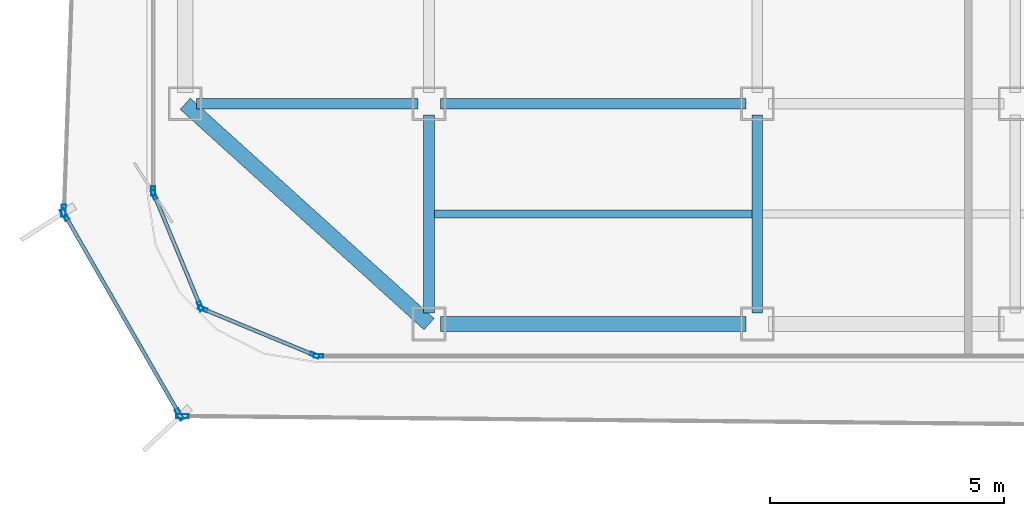
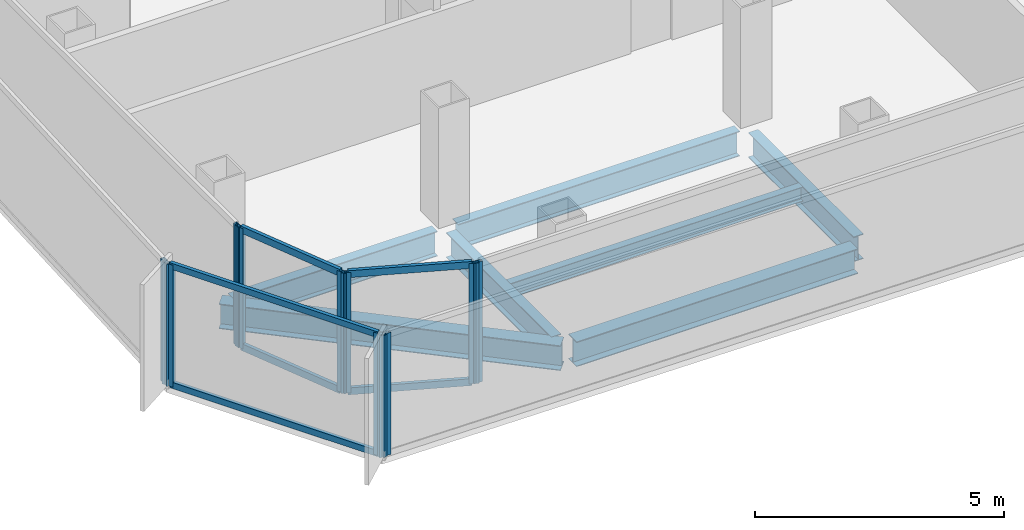
# One storey, part 2 of 15: 16 members, 7 beams, 7 elements without a shape of their own.
"""IFC4 building model written with IfcOpenShell, lengths in metres."""

from ifc_helpers import new_model, si_unit, direction, frame, origin, origin_2d, place, context, subcontext, project, spatial, hollow_rectangle, i_section, extrude, source, transform, mapped, material, layer, layer_set, material_profile, profile_set, type_object, element, aggregate, save


model = new_model("IFC4")

# Units and contexts
model_context = context("Model", 3, precision=1e-05, world=origin(), true_north=direction((0.0, 1.0)))
body_context = subcontext(model_context, "Body", "Model", "MODEL_VIEW")
ifc_project = project(units=[si_unit("LENGTHUNIT", "METRE"), si_unit("AREAUNIT", "SQUARE_METRE"), si_unit("VOLUMEUNIT", "CUBIC_METRE"), si_unit("PLANEANGLEUNIT", "RADIAN"), si_unit("MASSUNIT", "GRAM", prefix="KILO")], contexts=[model_context])

# Site, building, storey
site_placement = place(None, origin())
site = spatial("IfcSite", under=ifc_project, at=site_placement, CompositionType="ELEMENT")
building_placement = place(site_placement, origin())
building = spatial("IfcBuilding", under=site, at=building_placement, Name="Kolveth Station Tower", CompositionType="ELEMENT")
storey_placement = place(building_placement, frame((0.0, 0.0, 196.39990234375)))
storey = spatial("IfcBuildingStorey", under=building, at=storey_placement, Name="L55", CompositionType="ELEMENT", Elevation=196.39990234375)

# Beams
ifc_material_1 = material(Name="Steel S355", Category="steel")
ifc_material_profile_1 = material_profile(ifc_material_1, i_section(OverallWidth=0.323974609375, OverallDepth=0.611083984375, WebThickness=0.0126953125, FlangeThickness=0.01904296875, at=origin_2d()), Name="W610x155")
ifc_profile_set_1 = profile_set([ifc_material_profile_1], Name="Steel S355")
beam_type_1 = type_object("IfcBeamType", Name="Beam_SP2", PredefinedType="SPANDREL", material=ifc_profile_set_1)
shared_shape_1 = source(origin(), body_context, "Body", "SweptSolid", [
    extrude(i_section(OverallWidth=0.323974609375, OverallDepth=0.611083984375, WebThickness=0.0126953125, FlangeThickness=0.01904296875, at=origin_2d()), origin(), (0.0, 0.0, 1.0), 7.00927734375),
])
beam_1_placement = place(storey_placement, frame((0.800048828125, 5.5, -0.555419921875), z_axis=(0.741874009795, -0.670539300557, 0.0), x_axis=(0.670539300557, 0.741874009795, 0.0)))
element("IfcBeam", 1, at=beam_1_placement, inside=storey, type_object=beam_type_1, Name="L55 Corner Edge Girder BM-L55-CNR-SW", PredefinedType="SPANDREL", context=body_context, shape_type="MappedRepresentation", body=[
    mapped(shared_shape_1, transform((0.0, 0.0, 0.0), x_axis=(1.0, 0.0, 0.0), y_axis=(0.0, 1.0, 0.0), z_axis=(0.0, 0.0, 1.0), scale=1.0)),
])
shared_shape_2 = source(origin(), body_context, "Body", "SweptSolid", [
    extrude(i_section(OverallWidth=0.323974609375, OverallDepth=0.611083984375, WebThickness=0.0126953125, FlangeThickness=0.01904296875, at=origin_2d()), origin(), (0.0, 0.0, 1.0), 6.52001953125),
])
beam_2_placement = place(storey_placement, frame((6.239990234375, 0.800048828125, -0.555419921875), z_axis=(1.0, 0.0, 0.0), x_axis=(0.0, 1.0, 0.0)))
element("IfcBeam", 2, at=beam_2_placement, inside=storey, type_object=beam_type_1, Name="L55 Perimeter Spandrel BM-L55-PS-1", PredefinedType="SPANDREL", context=body_context, shape_type="MappedRepresentation", body=[
    mapped(shared_shape_2, transform((0.0, 0.0, 0.0), x_axis=(1.0, 0.0, 0.0), y_axis=(0.0, 1.0, 0.0), z_axis=(0.0, 0.0, 1.0), scale=1.0)),
])
ifc_material_profile_2 = material_profile(ifc_material_1, i_section(OverallWidth=0.22900390625, OverallDepth=0.612060546875, WebThickness=0.011962890625, FlangeThickness=0.01953125, at=origin_2d()), Name="W610x125")
ifc_profile_set_2 = profile_set([ifc_material_profile_2], Name="Steel S355")
beam_type_2 = type_object("IfcBeamType", Name="Beam_B5", PredefinedType="BEAM", material=ifc_profile_set_2)
shared_shape_3 = source(origin(), body_context, "Body", "SweptSolid", [
    extrude(i_section(OverallWidth=0.22900390625, OverallDepth=0.612060546875, WebThickness=0.011962890625, FlangeThickness=0.01953125, at=origin_2d()), origin(), (0.0, 0.0, 1.0), 4.719970703125),
])
beam_3_placement = place(storey_placement, frame((1.0400390625, 5.5, -0.555908203125), z_axis=(1.0, 0.0, 0.0), x_axis=(0.0, 1.0, 0.0)))
element("IfcBeam", 3, at=beam_3_placement, inside=storey, type_object=beam_type_2, Name="L55 Primary Girder BM-L55-GY55-1", PredefinedType="BEAM", context=body_context, shape_type="MappedRepresentation", body=[
    mapped(shared_shape_3, transform((0.0, 0.0, 0.0), x_axis=(1.0, 0.0, 0.0), y_axis=(0.0, 1.0, 0.0), z_axis=(0.0, 0.0, 1.0), scale=1.0)),
])
shared_shape_4 = source(origin(), body_context, "Body", "SweptSolid", [
    extrude(i_section(OverallWidth=0.22900390625, OverallDepth=0.612060546875, WebThickness=0.011962890625, FlangeThickness=0.01953125, at=origin_2d()), origin(), (0.0, 0.0, 1.0), 6.52001953125),
])
beam_4_placement = place(storey_placement, frame((6.239990234375, 5.5, -0.555908203125), z_axis=(1.0, 0.0, 0.0), x_axis=(0.0, 1.0, 0.0)))
element("IfcBeam", 4, at=beam_4_placement, inside=storey, type_object=beam_type_2, Name="L55 Primary Girder BM-L55-GY55-2", PredefinedType="BEAM", context=body_context, shape_type="MappedRepresentation", body=[
    mapped(shared_shape_4, transform((0.0, 0.0, 0.0), x_axis=(1.0, 0.0, 0.0), y_axis=(0.0, 1.0, 0.0), z_axis=(0.0, 0.0, 1.0), scale=1.0)),
])
shared_shape_5 = source(origin(), body_context, "Body", "SweptSolid", [
    extrude(i_section(OverallWidth=0.22900390625, OverallDepth=0.612060546875, WebThickness=0.011962890625, FlangeThickness=0.01953125, at=origin_2d()), origin(), (0.0, 0.0, 1.0), 4.219970703125),
])
for number, where, z_axis, x_axis, name in (
    (5, (6.0, 1.0400390625, -0.555908203125), (0.0, 1.0, 0.0), (-1.0, 0.0, 0.0), "L55 Primary Girder BM-L55-GX60-1"),
    (6, (13.0, 1.0400390625, -0.555908203125), (0.0, 1.0, 0.0), (-1.0, 0.0, 0.0), "L55 Primary Girder BM-L55-GX130-1"),
):
    element("IfcBeam", number, at=place(storey_placement, frame(where, z_axis=z_axis, x_axis=x_axis)), inside=storey, type_object=beam_type_2, Name=name, PredefinedType="BEAM", context=body_context, shape_type="MappedRepresentation", body=[
        mapped(shared_shape_5, transform((0.0, 0.0, 0.0), x_axis=(1.0, 0.0, 0.0), y_axis=(0.0, 1.0, 0.0), z_axis=(0.0, 0.0, 1.0), scale=1.0)),
    ])
ifc_material_profile_3 = material_profile(ifc_material_1, i_section(OverallWidth=0.1708984375, OverallDepth=0.35205078125, WebThickness=0.0068359375, FlangeThickness=0.009765625, at=origin_2d()), Name="W360x44")
ifc_profile_set_3 = profile_set([ifc_material_profile_3], Name="Steel S355")
beam_type_3 = type_object("IfcBeamType", Name="Beam_J2", PredefinedType="JOIST", material=ifc_profile_set_3)
shared_shape_6 = source(origin(), body_context, "Body", "SweptSolid", [
    extrude(i_section(OverallWidth=0.1708984375, OverallDepth=0.35205078125, WebThickness=0.0068359375, FlangeThickness=0.009765625, at=origin_2d()), origin(), (0.0, 0.0, 1.0), 6.77490234375),
])
beam_5_placement = place(storey_placement, frame((6.112548828125, 3.14990234375, -0.42578125), z_axis=(1.0, 0.0, 0.0), x_axis=(0.0, 1.0, 0.0)))
element("IfcBeam", 7, at=beam_5_placement, inside=storey, type_object=beam_type_3, Name="L55 Secondary Joist JST-L55-2-1", PredefinedType="JOIST", context=body_context, shape_type="MappedRepresentation", body=[
    mapped(shared_shape_6, transform((0.0, 0.0, 0.0), x_axis=(1.0, 0.0, 0.0), y_axis=(0.0, 1.0, 0.0), z_axis=(0.0, 0.0, 1.0), scale=1.0)),
])

# Curtain wall, member
ifc_material_2 = material(Name="Black anodized aluminium 6063-T6 and dark solar glass", Category="aluminium")
ifc_layer_1 = layer(ifc_material_2, 0.159912109375)
ifc_layer_set_1 = layer_set([ifc_layer_1], Name="Black anodized aluminium 6063-T6 and dark solar glass")
curtain_wall_type_1 = type_object("IfcCurtainWallType", Name="OUTER SKIN CW-OS", PredefinedType="NOTDEFINED", material=ifc_layer_set_1)
curtain_wall_1_placement = place(storey_placement, origin())
curtain_wall_1 = element("IfcCurtainWall", 8, at=curtain_wall_1_placement, inside=storey, type_object=curtain_wall_type_1, Name="L55 Outer Ventilated Skin Curtain Wall 6", PredefinedType="NOTDEFINED")
ifc_material_3 = material(Name="Black anodized aluminium 6063-T6", Category="aluminium")
ifc_material_profile_4 = material_profile(ifc_material_3, hollow_rectangle(XDim=0.090087890625, YDim=0.260009765625, WallThickness=0.0048828125, at=origin_2d()), Name="ALU-90x260x5")
ifc_profile_set_4 = profile_set([ifc_material_profile_4], Name="Black anodized aluminium 6063-T6")
member_type_1 = type_object("IfcMemberType", Name="FIN MULLION ML-OS", PredefinedType="MULLION", material=ifc_profile_set_4)
shared_shape_7 = source(origin(), body_context, "Body", "SweptSolid", [
    extrude(hollow_rectangle(XDim=0.090087890625, YDim=0.260009765625, WallThickness=0.0048828125, at=origin_2d()), origin(), (0.0, 0.0, 1.0), 2.989990234375),
])
member_1_placement = place(storey_placement, frame((-1.791015625, 3.217041015625, 0.0), z_axis=(0.0, 0.0, 1.0), x_axis=(0.999363333669, -0.035678106998, 0.0)))
member_1 = element("IfcMember", 9, at=member_1_placement, type_object=member_type_1, Name="CW-OS mullion 2", PredefinedType="MULLION", context=body_context, shape_type="MappedRepresentation", body=[
    mapped(shared_shape_7, transform((0.0, 0.0, 0.0), x_axis=(1.0, 0.0, 0.0), y_axis=(0.0, 1.0, 0.0), z_axis=(0.0, 0.0, 1.0), scale=1.0)),
])
aggregate(curtain_wall_1, [member_1])

# Curtain wall, members
curtain_wall_2_placement = place(storey_placement, origin())
curtain_wall_2 = element("IfcCurtainWall", 10, at=curtain_wall_2_placement, inside=storey, type_object=curtain_wall_type_1, Name="L55 Outer Ventilated Skin Curtain Wall 7", PredefinedType="NOTDEFINED")
member_2_placement = place(storey_placement, frame((-1.770263671875, 3.133056640625, 0.0), z_axis=(0.0, 0.0, 1.0), x_axis=(0.867084953805, 0.498160298383, 0.0)))
member_2 = element("IfcMember", 11, at=member_2_placement, type_object=member_type_1, Name="CW-OS mullion 1", PredefinedType="MULLION", context=body_context, shape_type="MappedRepresentation", body=[
    mapped(shared_shape_7, transform((0.0, 0.0, 0.0), x_axis=(1.0, 0.0, 0.0), y_axis=(0.0, 1.0, 0.0), z_axis=(0.0, 0.0, 1.0), scale=1.0)),
])
member_3_placement = place(storey_placement, frame((0.675537109375, -1.123779296875, 0.0), z_axis=(0.0, 0.0, 1.0), x_axis=(0.867084953805, 0.498160298383, 0.0)))
member_3 = element("IfcMember", 12, at=member_3_placement, type_object=member_type_1, Name="CW-OS mullion 2", PredefinedType="MULLION", context=body_context, shape_type="MappedRepresentation", body=[
    mapped(shared_shape_7, transform((0.0, 0.0, 0.0), x_axis=(1.0, 0.0, 0.0), y_axis=(0.0, 1.0, 0.0), z_axis=(0.0, 0.0, 1.0), scale=1.0)),
])

# Curtain wall, member
curtain_wall_3_placement = place(storey_placement, origin())
curtain_wall_3 = element("IfcCurtainWall", 13, at=curtain_wall_3_placement, inside=storey, type_object=curtain_wall_type_1, Name="L55 Outer Ventilated Skin Curtain Wall 8", PredefinedType="NOTDEFINED")
member_4_placement = place(storey_placement, frame((0.742919921875, -1.163330078125, 0.0), z_axis=(0.0, 0.0, 1.0), x_axis=(0.009568801259, 0.999954217973, 0.0)))
member_4 = element("IfcMember", 14, at=member_4_placement, type_object=member_type_1, Name="CW-OS mullion 1", PredefinedType="MULLION", context=body_context, shape_type="MappedRepresentation", body=[
    mapped(shared_shape_7, transform((0.0, 0.0, 0.0), x_axis=(1.0, 0.0, 0.0), y_axis=(0.0, 1.0, 0.0), z_axis=(0.0, 0.0, 1.0), scale=1.0)),
])
aggregate(curtain_wall_3, [member_4])

ifc_material_4 = material(Name="Aluminium 6063-T6 and low-E dark glass", Category="aluminium")
ifc_layer_2 = layer(ifc_material_4, 0.18994140625)
ifc_layer_set_2 = layer_set([ifc_layer_2], Name="Aluminium 6063-T6 and low-E dark glass")
curtain_wall_type_2 = type_object("IfcCurtainWallType", Name="CurtainWall_CW-Z2", PredefinedType="NOTDEFINED", material=ifc_layer_set_2)
curtain_wall_4_placement = place(storey_placement, origin())
curtain_wall_4 = element("IfcCurtainWall", 15, at=curtain_wall_4_placement, inside=storey, type_object=curtain_wall_type_2, Name="L55 Inner Thermal Curtain Wall 9", PredefinedType="NOTDEFINED")
ifc_material_profile_5 = material_profile(ifc_material_3, hollow_rectangle(XDim=0.080078125, YDim=0.199951171875, WallThickness=0.0048828125, at=origin_2d()), Name="ALU-80x200x5")
ifc_profile_set_5 = profile_set([ifc_material_profile_5], Name="Black anodized aluminium 6063-T6")
member_type_2 = type_object("IfcMemberType", Name="Mullion_ML2", PredefinedType="MULLION", material=ifc_profile_set_5)
shared_shape_8 = source(origin(), body_context, "Body", "SweptSolid", [
    extrude(hollow_rectangle(XDim=0.080078125, YDim=0.199951171875, WallThickness=0.0048828125, at=origin_2d()), origin(), (0.0, 0.0, 1.0), 2.9501953125),
])
member_5_placement = place(storey_placement, frame((0.1201171875, 3.639892578125, 0.0), z_axis=(0.0, 0.0, 1.0), x_axis=(1.0, 0.0, 0.0)))
member_5 = element("IfcMember", 16, at=member_5_placement, type_object=member_type_2, Name="CW-Z2 mullion 2", PredefinedType="MULLION", context=body_context, shape_type="MappedRepresentation", body=[
    mapped(shared_shape_8, transform((0.0, 0.0, 0.0), x_axis=(1.0, 0.0, 0.0), y_axis=(0.0, 1.0, 0.0), z_axis=(0.0, 0.0, 1.0), scale=1.0)),
])
aggregate(curtain_wall_4, [member_5])

# Curtain wall, members
curtain_wall_5_placement = place(storey_placement, origin())
curtain_wall_5 = element("IfcCurtainWall", 17, at=curtain_wall_5_placement, inside=storey, type_object=curtain_wall_type_2, Name="L55 Inner Thermal Curtain Wall 10", PredefinedType="NOTDEFINED")
member_6_placement = place(storey_placement, frame((0.13525390625, 3.56298828125, 0.0), z_axis=(0.0, 0.0, 1.0), x_axis=(0.923873600544, 0.382697753087, 0.0)))
member_6 = element("IfcMember", 18, at=member_6_placement, type_object=member_type_2, Name="CW-Z2 mullion 1", PredefinedType="MULLION", context=body_context, shape_type="MappedRepresentation", body=[
    mapped(shared_shape_8, transform((0.0, 0.0, 0.0), x_axis=(1.0, 0.0, 0.0), y_axis=(0.0, 1.0, 0.0), z_axis=(0.0, 0.0, 1.0), scale=1.0)),
])
member_7_placement = place(storey_placement, frame((1.1240234375, 1.17626953125, 0.0), z_axis=(0.0, 0.0, 1.0), x_axis=(0.923873600544, 0.382697753087, 0.0)))
member_7 = element("IfcMember", 19, at=member_7_placement, type_object=member_type_2, Name="CW-Z2 mullion 2", PredefinedType="MULLION", context=body_context, shape_type="MappedRepresentation", body=[
    mapped(shared_shape_8, transform((0.0, 0.0, 0.0), x_axis=(1.0, 0.0, 0.0), y_axis=(0.0, 1.0, 0.0), z_axis=(0.0, 0.0, 1.0), scale=1.0)),
])

curtain_wall_6_placement = place(storey_placement, origin())
curtain_wall_6 = element("IfcCurtainWall", 20, at=curtain_wall_6_placement, inside=storey, type_object=curtain_wall_type_2, Name="L55 Inner Thermal Curtain Wall 11", PredefinedType="NOTDEFINED")
member_8_placement = place(storey_placement, frame((1.17626953125, 1.1240234375, 0.0), z_axis=(0.0, 0.0, 1.0), x_axis=(0.382697753087, 0.923873600544, 0.0)))
member_8 = element("IfcMember", 21, at=member_8_placement, type_object=member_type_2, Name="CW-Z2 mullion 1", PredefinedType="MULLION", context=body_context, shape_type="MappedRepresentation", body=[
    mapped(shared_shape_8, transform((0.0, 0.0, 0.0), x_axis=(1.0, 0.0, 0.0), y_axis=(0.0, 1.0, 0.0), z_axis=(0.0, 0.0, 1.0), scale=1.0)),
])
member_9_placement = place(storey_placement, frame((3.56298828125, 0.13525390625, 0.0), z_axis=(0.0, 0.0, 1.0), x_axis=(0.382697753087, 0.923873600544, 0.0)))
member_9 = element("IfcMember", 22, at=member_9_placement, type_object=member_type_2, Name="CW-Z2 mullion 2", PredefinedType="MULLION", context=body_context, shape_type="MappedRepresentation", body=[
    mapped(shared_shape_8, transform((0.0, 0.0, 0.0), x_axis=(1.0, 0.0, 0.0), y_axis=(0.0, 1.0, 0.0), z_axis=(0.0, 0.0, 1.0), scale=1.0)),
])

# Curtain wall, member
curtain_wall_7_placement = place(storey_placement, origin())
curtain_wall_7 = element("IfcCurtainWall", 23, at=curtain_wall_7_placement, inside=storey, type_object=curtain_wall_type_2, Name="L55 Inner Thermal Curtain Wall 12", PredefinedType="NOTDEFINED")
member_10_placement = place(storey_placement, frame((3.639892578125, 0.1201171875, 0.0), z_axis=(0.0, 0.0, 1.0), x_axis=(0.0, 1.0, 0.0)))
member_10 = element("IfcMember", 24, at=member_10_placement, type_object=member_type_2, Name="CW-Z2 mullion 1", PredefinedType="MULLION", context=body_context, shape_type="MappedRepresentation", body=[
    mapped(shared_shape_8, transform((0.0, 0.0, 0.0), x_axis=(1.0, 0.0, 0.0), y_axis=(0.0, 1.0, 0.0), z_axis=(0.0, 0.0, 1.0), scale=1.0)),
])
aggregate(curtain_wall_7, [member_10])

# Member
ifc_material_profile_6 = material_profile(ifc_material_3, hollow_rectangle(XDim=0.080078125, YDim=0.169921875, WallThickness=0.0048828125, at=origin_2d()), Name="ALU-80x170x5")
ifc_profile_set_6 = profile_set([ifc_material_profile_6], Name="Black anodized aluminium 6063-T6")
member_type_3 = type_object("IfcMemberType", Name="Transom_TR2", PredefinedType="USERDEFINED", material=ifc_profile_set_6)
shared_shape_9 = source(origin(), body_context, "Body", "SweptSolid", [
    extrude(hollow_rectangle(XDim=0.080078125, YDim=0.169921875, WallThickness=0.0048828125, at=origin_2d()), origin(), (0.0, 0.0, 1.0), 2.50341796875),
])
member_11_placement = place(storey_placement, frame((0.150634765625, 3.526123046875, 0.0400390625), z_axis=(0.382661849723, -0.923888472039, 0.0), x_axis=(0.923888472039, 0.382661849723, 0.0)))
member_11 = element("IfcMember", 25, at=member_11_placement, type_object=member_type_3, Name="CW-Z2 transom 1.1", ObjectType="TRANSOM", PredefinedType="USERDEFINED", context=body_context, shape_type="MappedRepresentation", body=[
    mapped(shared_shape_9, transform((0.0, 0.0, 0.0), x_axis=(1.0, 0.0, 0.0), y_axis=(0.0, 1.0, 0.0), z_axis=(0.0, 0.0, 1.0), scale=1.0)),
])

member_12_placement = place(storey_placement, frame((0.150634765625, 3.526123046875, 2.91015625), z_axis=(0.382661849723, -0.923888472039, 0.0), x_axis=(0.923888472039, 0.382661849723, 0.0)))
member_12 = element("IfcMember", 26, at=member_12_placement, type_object=member_type_3, Name="CW-Z2 transom 1.2", ObjectType="TRANSOM", PredefinedType="USERDEFINED", context=body_context, shape_type="MappedRepresentation", body=[
    mapped(shared_shape_9, transform((0.0, 0.0, 0.0), x_axis=(1.0, 0.0, 0.0), y_axis=(0.0, 1.0, 0.0), z_axis=(0.0, 0.0, 1.0), scale=1.0)),
])

aggregate(curtain_wall_5, [member_6, member_7, member_11, member_12])

member_13_placement = place(storey_placement, frame((1.213134765625, 1.108642578125, 0.0400390625), z_axis=(0.923888472039, -0.382661849723, 0.0), x_axis=(0.382661849723, 0.923888472039, 0.0)))
member_13 = element("IfcMember", 27, at=member_13_placement, type_object=member_type_3, Name="CW-Z2 transom 1.1", ObjectType="TRANSOM", PredefinedType="USERDEFINED", context=body_context, shape_type="MappedRepresentation", body=[
    mapped(shared_shape_9, transform((0.0, 0.0, 0.0), x_axis=(1.0, 0.0, 0.0), y_axis=(0.0, 1.0, 0.0), z_axis=(0.0, 0.0, 1.0), scale=1.0)),
])

member_14_placement = place(storey_placement, frame((1.213134765625, 1.108642578125, 2.91015625), z_axis=(0.923888472039, -0.382661849723, 0.0), x_axis=(0.382661849723, 0.923888472039, 0.0)))
member_14 = element("IfcMember", 28, at=member_14_placement, type_object=member_type_3, Name="CW-Z2 transom 1.2", ObjectType="TRANSOM", PredefinedType="USERDEFINED", context=body_context, shape_type="MappedRepresentation", body=[
    mapped(shared_shape_9, transform((0.0, 0.0, 0.0), x_axis=(1.0, 0.0, 0.0), y_axis=(0.0, 1.0, 0.0), z_axis=(0.0, 0.0, 1.0), scale=1.0)),
])

aggregate(curtain_wall_6, [member_8, member_9, member_13, member_14])

ifc_material_profile_7 = material_profile(ifc_material_3, hollow_rectangle(XDim=0.080078125, YDim=0.14990234375, WallThickness=0.0048828125, at=origin_2d()), Name="ALU-80x150x5")
ifc_profile_set_7 = profile_set([ifc_material_profile_7], Name="Black anodized aluminium 6063-T6")
member_type_4 = type_object("IfcMemberType", Name="Transom_TR-OS", PredefinedType="USERDEFINED", material=ifc_profile_set_7)
shared_shape_10 = source(origin(), body_context, "Body", "SweptSolid", [
    extrude(hollow_rectangle(XDim=0.080078125, YDim=0.14990234375, WallThickness=0.0048828125, at=origin_2d()), origin(), (0.0, 0.0, 1.0), 4.819580078125),
])
member_15_placement = place(storey_placement, frame((-1.747802734375, 3.093994140625, 0.0400390625), z_axis=(0.498156064517, -0.867087386245, 0.0), x_axis=(0.867087386245, 0.498156064517, 0.0)))
member_15 = element("IfcMember", 29, at=member_15_placement, type_object=member_type_4, Name="CW-OS transom 1.1", ObjectType="TRANSOM", PredefinedType="USERDEFINED", context=body_context, shape_type="MappedRepresentation", body=[
    mapped(shared_shape_10, transform((0.0, 0.0, 0.0), x_axis=(1.0, 0.0, 0.0), y_axis=(0.0, 1.0, 0.0), z_axis=(0.0, 0.0, 1.0), scale=1.0)),
])

member_16_placement = place(storey_placement, frame((-1.747802734375, 3.093994140625, 2.9501953125), z_axis=(0.498156064517, -0.867087386245, 0.0), x_axis=(0.867087386245, 0.498156064517, 0.0)))
member_16 = element("IfcMember", 30, at=member_16_placement, type_object=member_type_4, Name="CW-OS transom 1.2", ObjectType="TRANSOM", PredefinedType="USERDEFINED", context=body_context, shape_type="MappedRepresentation", body=[
    mapped(shared_shape_10, transform((0.0, 0.0, 0.0), x_axis=(1.0, 0.0, 0.0), y_axis=(0.0, 1.0, 0.0), z_axis=(0.0, 0.0, 1.0), scale=1.0)),
])

aggregate(curtain_wall_2, [member_2, member_3, member_15, member_16])

save(model, "model.ifc")
